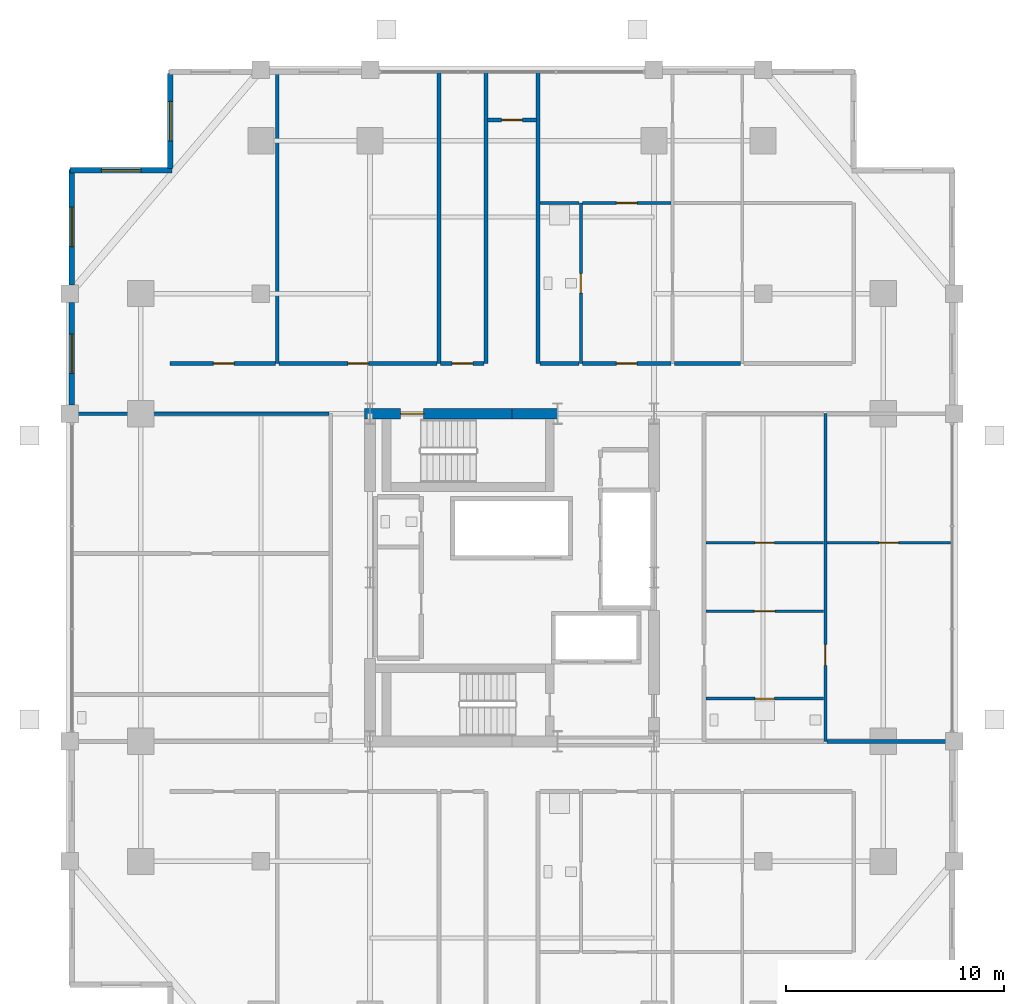
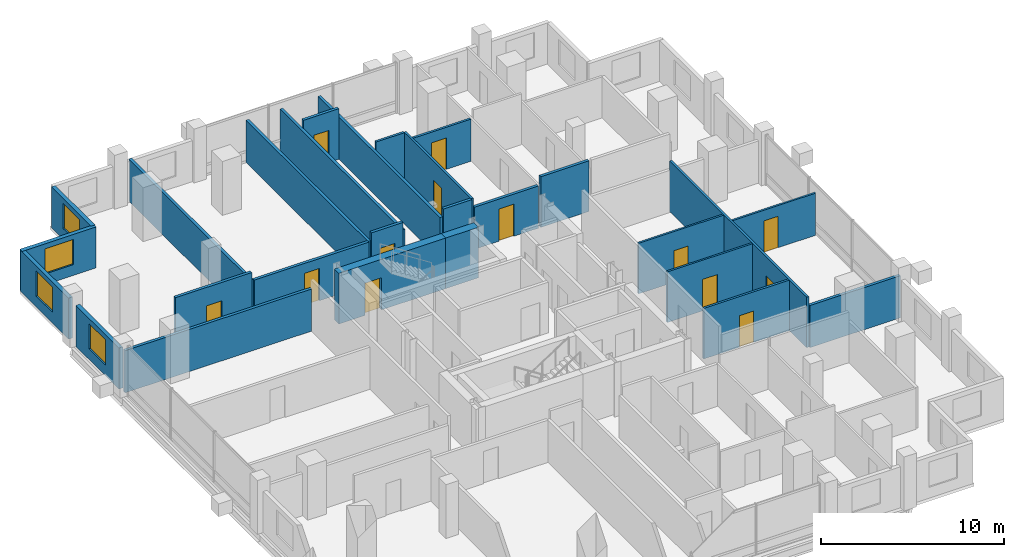
# One storey, part 16 of 19: 27 walls, 13 doors, 4 windows, 17 openings.
"""IFC4 building model written with IfcOpenShell, lengths in metres."""

from ifc_helpers import new_model, si_unit, direction, frame, frame_2d, origin, place, context, subcontext, project, spatial, rectangle, extrude, material, layer, layer_set, type_object, element, fill, save


model = new_model("IFC4")

# Units and contexts
model_context = context("Model", 3, precision=1e-05, world=origin(), true_north=direction((0.0, 1.0)))
body_context = subcontext(model_context, "Body", "Model", "MODEL_VIEW")
ifc_project = project(units=[si_unit("LENGTHUNIT", "METRE"), si_unit("AREAUNIT", "SQUARE_METRE"), si_unit("VOLUMEUNIT", "CUBIC_METRE"), si_unit("PLANEANGLEUNIT", "RADIAN"), si_unit("MASSUNIT", "GRAM", prefix="KILO")], contexts=[model_context])

# Site, building, storey
site_placement = place(None, origin())
site = spatial("IfcSite", under=ifc_project, at=site_placement, CompositionType="ELEMENT")
building_placement = place(site_placement, origin())
building = spatial("IfcBuilding", under=site, at=building_placement, Name="Barlavira Tower and Art Museum", CompositionType="ELEMENT")
storey_placement = place(building_placement, frame((0.0, 0.0, 158.39990234375)))
storey = spatial("IfcBuildingStorey", under=building, at=storey_placement, Name="L40", CompositionType="ELEMENT", Elevation=158.39990234375)

# Wall, opening, door
ifc_material_1 = material(Name="Gypsum acoustic stud partition", Category="gypsum")
ifc_layer_1 = layer(ifc_material_1, 0.1201171875, Name="Gypsum acoustic stud partition")
ifc_layer_set_1 = layer_set([ifc_layer_1], Name="Gypsum acoustic stud partition")
wall_type_1 = type_object("IfcWallType", Name="Apartment Internal Acoustic Partition 120", PredefinedType="PARTITIONING", material=ifc_layer_set_1)
wall_1_placement = place(storey_placement, frame((8.8798828125, -1.550048828125, 0.0), z_axis=(0.0, 0.0, 1.0), x_axis=(1.0, 0.0, 0.0)))
wall_1 = element("IfcWall", 1, at=wall_1_placement, inside=storey, type_object=wall_type_1, Name="L40 Partition Wall 41", PredefinedType="PARTITIONING", context=body_context, shape_type="SweptSolid", body=[
    extrude(rectangle(XDim=5.39013671875, YDim=0.1201171875, at=frame_2d((2.695068359375, 0.0))), origin(), (0.0, 0.0, 1.0), 3.380126953125),
])
opening_1_placement = place(wall_1_placement, frame((2.215087890625, 0.0, 0.0)))
opening_1 = element("IfcOpeningElement", 2, at=opening_1_placement, cuts=wall_1, Name="Opening D-02", PredefinedType="OPENING", context=body_context, shape_type="SweptSolid", body=[
    extrude(rectangle(XDim=0.949951171875, YDim=2.10009765625, at=frame_2d((0.47509765625, 1.050048828125))), frame((0.0, 0.070068359375, 0.0), z_axis=(0.0, -1.0, 0.0), x_axis=(1.0, 0.0, 0.0)), (0.0, 0.0, 1.0), 0.14013671875),
])
ifc_material_2 = material(Name="Engineered coastal hardwood", Category="wood")
door_type_1 = type_object("IfcDoorType", Name="Living and Salon Glazed-Leaf Door 950x2100", OperationType="NOTDEFINED", PredefinedType="DOOR", material=ifc_material_2)
door_1_placement = place(opening_1_placement, origin())
door_1 = element("IfcDoor", 3, at=door_1_placement, inside=storey, type_object=door_type_1, Name="Apartment E1 Kitchen Door", OperationType="SINGLE_SWING_RIGHT", OverallHeight=2.10009765625, OverallWidth=0.949951171875, PredefinedType="DOOR", context=body_context, shape_type="SweptSolid", body=[
    extrude(rectangle(XDim=0.949951171875, YDim=2.10009765625, at=frame_2d((0.47509765625, 1.050048828125))), frame((0.0, 0.02490234375, 0.0), z_axis=(0.0, -1.0, 0.0), x_axis=(1.0, 0.0, 0.0)), (0.0, 0.0, 1.0), 0.050048828125),
])
fill(opening_1, door_1)

wall_2_placement = place(storey_placement, frame((8.8798828125, 1.60009765625, 0.0), z_axis=(0.0, 0.0, 1.0), x_axis=(1.0, 0.0, 0.0)))
wall_2 = element("IfcWall", 4, at=wall_2_placement, inside=storey, type_object=wall_type_1, Name="L40 Partition Wall 44", PredefinedType="PARTITIONING", context=body_context, shape_type="SweptSolid", body=[
    extrude(rectangle(XDim=5.39013671875, YDim=0.1201171875, at=frame_2d((2.695068359375, 0.0))), origin(), (0.0, 0.0, 1.0), 3.380126953125),
])
opening_2_placement = place(wall_2_placement, frame((2.239990234375, 0.0, 0.0)))
opening_2 = element("IfcOpeningElement", 5, at=opening_2_placement, cuts=wall_2, Name="Opening D-01", PredefinedType="OPENING", context=body_context, shape_type="SweptSolid", body=[
    extrude(rectangle(XDim=0.89990234375, YDim=2.10009765625, at=frame_2d((0.449951171875, 1.050048828125))), frame((0.0, 0.070068359375, 0.0), z_axis=(0.0, -1.0, 0.0), x_axis=(1.0, 0.0, 0.0)), (0.0, 0.0, 1.0), 0.14013671875),
])
door_type_2 = type_object("IfcDoorType", Name="Internal Bedroom Timber Flush Door 900x2100", OperationType="NOTDEFINED", PredefinedType="DOOR", material=ifc_material_2)
door_2_placement = place(opening_2_placement, origin())
door_2 = element("IfcDoor", 6, at=door_2_placement, inside=storey, type_object=door_type_2, Name="Apartment E1 Walk-In Dressing Room Door", OperationType="SINGLE_SWING_LEFT", OverallHeight=2.10009765625, OverallWidth=0.89990234375, PredefinedType="DOOR", context=body_context, shape_type="SweptSolid", body=[
    extrude(rectangle(XDim=0.89990234375, YDim=2.10009765625, at=frame_2d((0.449951171875, 1.050048828125))), frame((0.0, 0.02490234375, 0.0), z_axis=(0.0, -1.0, 0.0), x_axis=(1.0, 0.0, 0.0)), (0.0, 0.0, 1.0), 0.050048828125),
])
fill(opening_2, door_2)

wall_3_placement = place(storey_placement, frame((14.429931640625, 1.60009765625, 0.0), z_axis=(0.0, 0.0, 1.0), x_axis=(1.0, 0.0, 0.0)))
wall_3 = element("IfcWall", 7, at=wall_3_placement, inside=storey, type_object=wall_type_1, Name="L40 Partition Wall 45", PredefinedType="PARTITIONING", context=body_context, shape_type="SweptSolid", body=[
    extrude(rectangle(XDim=5.64013671875, YDim=0.1201171875, at=frame_2d((2.820068359375, 0.0))), origin(), (0.0, 0.0, 1.0), 2.816162109375),
])
opening_3_placement = place(wall_3_placement, frame((2.3701171875, 0.0, 0.0)))
opening_3 = element("IfcOpeningElement", 8, at=opening_3_placement, cuts=wall_3, Name="Opening D-01", PredefinedType="OPENING", context=body_context, shape_type="SweptSolid", body=[
    extrude(rectangle(XDim=0.89990234375, YDim=2.10009765625, at=frame_2d((0.449951171875, 1.050048828125))), frame((0.0, 0.070068359375, 0.0), z_axis=(0.0, -1.0, 0.0), x_axis=(1.0, 0.0, 0.0)), (0.0, 0.0, 1.0), 0.14013671875),
])
door_3_placement = place(opening_3_placement, origin())
door_3 = element("IfcDoor", 9, at=door_3_placement, inside=storey, type_object=door_type_2, Name="Apartment E1 Bedroom 1 Door", OperationType="SINGLE_SWING_LEFT", OverallHeight=2.10009765625, OverallWidth=0.89990234375, PredefinedType="DOOR", context=body_context, shape_type="SweptSolid", body=[
    extrude(rectangle(XDim=0.89990234375, YDim=2.10009765625, at=frame_2d((0.449951171875, 1.050048828125))), frame((0.0, 0.02490234375, 0.0), z_axis=(0.0, -1.0, 0.0), x_axis=(1.0, 0.0, 0.0)), (0.0, 0.0, 1.0), 0.050048828125),
])
fill(opening_3, door_3)

ifc_material_3 = material(Name="Concrete C60", Category="concrete")
ifc_layer_2 = layer(ifc_material_3, 0.5, Name="Concrete C60")
ifc_layer_set_2 = layer_set([ifc_layer_2], Name="Concrete C60")
wall_type_2 = type_object("IfcWallType", Name="Core Structural Shear Wall 500 Concrete C60", PredefinedType="SHEAR", material=ifc_layer_set_2)
wall_4_placement = place(storey_placement, frame((-6.75, 7.5, 0.0), z_axis=(0.0, 0.0, 1.0), x_axis=(1.0, 0.0, 0.0)))
wall_4 = element("IfcWall", 10, at=wall_4_placement, inside=storey, type_object=wall_type_2, Name="L40 Core Shear Wall CS-NW", PredefinedType="SHEAR", context=body_context, shape_type="SweptSolid", body=[
    extrude(rectangle(XDim=6.75, YDim=0.5, at=frame_2d((3.375, 0.0))), origin(), (0.0, 0.0, 1.0), 3.380126953125),
])
opening_4_placement = place(wall_4_placement, frame((1.64990234375, 0.0, 0.0)))
opening_4 = element("IfcOpeningElement", 11, at=opening_4_placement, cuts=wall_4, Name="Opening FD-90", PredefinedType="OPENING", context=body_context, shape_type="SweptSolid", body=[
    extrude(rectangle(XDim=1.050048828125, YDim=2.14990234375, at=frame_2d((0.52490234375, 1.074951171875))), frame((0.0, 0.260009765625, 0.0), z_axis=(0.0, -1.0, 0.0), x_axis=(1.0, 0.0, 0.0)), (0.0, 0.0, 1.0), 0.52001953125),
])
ifc_material_4 = material(Name="Brushed stainless steel", Category="steel")
door_type_3 = type_object("IfcDoorType", Name="Stair and Refuge Fire Door 1050x2150 FD90S", OperationType="NOTDEFINED", PredefinedType="DOOR", material=ifc_material_4)
door_4_placement = place(opening_4_placement, origin())
door_4 = element("IfcDoor", 12, at=door_4_placement, inside=storey, type_object=door_type_3, Name="L40 Stair ST-T2 Fire Door", OperationType="SINGLE_SWING_LEFT", OverallHeight=2.14990234375, OverallWidth=1.050048828125, PredefinedType="DOOR", context=body_context, shape_type="SweptSolid", body=[
    extrude(rectangle(XDim=1.050048828125, YDim=2.14990234375, at=frame_2d((0.52490234375, 1.074951171875))), frame((0.0, 0.02490234375, 0.0), z_axis=(0.0, -1.0, 0.0), x_axis=(1.0, 0.0, 0.0)), (0.0, 0.0, 1.0), 0.050048828125),
])
fill(opening_4, door_4)

# Walls
wall_5_placement = place(storey_placement, frame((0.0, 7.5, 0.0), z_axis=(0.0, 0.0, 1.0), x_axis=(1.0, 0.0, 0.0)))
element("IfcWall", 13, at=wall_5_placement, inside=storey, type_object=wall_type_2, Name="L40 Core Shear Wall CS-EN", PredefinedType="SHEAR", context=body_context, shape_type="SweptSolid", body=[
    extrude(rectangle(XDim=2.080078125, YDim=0.5, at=frame_2d((1.0400390625, 0.0))), origin(), (0.0, 0.0, 1.0), 3.380126953125),
])
ifc_layer_3 = layer(ifc_material_1, 0.179931640625, Name="Gypsum acoustic stud partition")
ifc_layer_set_3 = layer_set([ifc_layer_3], Name="Gypsum acoustic stud partition")
wall_type_3 = type_object("IfcWallType", Name="Inter-Tenancy Party Partition Wall 180", PredefinedType="PARTITIONING", material=ifc_layer_set_3)
for number, where, z_axis, x_axis, name in (
    (14, (-10.75, 9.800048828125, 0.0), (0.0, 0.0, 1.0), (0.0, 1.0, 0.0), "L40 Partition Wall 2"),
    (15, (-3.35009765625, 9.800048828125, 0.0), (0.0, 0.0, 1.0), (0.0, 1.0, 0.0), "L40 Partition Wall 7"),
    (16, (-1.199951171875, 9.800048828125, 0.0), (0.0, 0.0, 1.0), (0.0, 1.0, 0.0), "L40 Partition Wall 9"),
    (17, (1.199951171875, 9.800048828125, 0.0), (0.0, 0.0, 1.0), (0.0, 1.0, 0.0), "L40 Partition Wall 11"),
):
    element("IfcWall", number, at=place(storey_placement, frame(where, z_axis=z_axis, x_axis=x_axis)), inside=storey, type_object=wall_type_3, Name=name, PredefinedType="PARTITIONING", context=body_context, shape_type="SweptSolid", body=[
        extrude(rectangle(XDim=13.349853515625, YDim=0.179931640625, at=frame_2d((6.6748046875, 0.0))), origin(), (0.0, 0.0, 1.0), 2.816162109375),
    ])
wall_6_placement = place(storey_placement, frame((14.429931640625, -7.5, 0.0), z_axis=(0.0, 0.0, 1.0), x_axis=(1.0, 0.0, 0.0)))
element("IfcWall", 18, at=wall_6_placement, inside=storey, type_object=wall_type_3, Name="L40 Partition Wall 37", PredefinedType="PARTITIONING", context=body_context, shape_type="SweptSolid", body=[
    extrude(rectangle(XDim=5.719970703125, YDim=0.179931640625, at=frame_2d((2.85986328125, 0.0))), origin(), (0.0, 0.0, 1.0), 2.816162109375),
])
wall_7_placement = place(storey_placement, frame((-20.14990234375, 7.5, 0.0), z_axis=(0.0, 0.0, 1.0), x_axis=(1.0, 0.0, 0.0)))
element("IfcWall", 19, at=wall_7_placement, inside=storey, type_object=wall_type_3, Name="L40 Partition Wall 48", PredefinedType="PARTITIONING", context=body_context, shape_type="SweptSolid", body=[
    extrude(rectangle(XDim=11.77001953125, YDim=0.179931640625, at=frame_2d((5.885009765625, 0.0))), origin(), (0.0, 0.0, 1.0), 2.816162109375),
])

# Wall, opening, door
wall_8_placement = place(storey_placement, frame((-15.64990234375, 9.800048828125, 0.0), z_axis=(0.0, 0.0, 1.0), x_axis=(1.0, 0.0, 0.0)))
wall_8 = element("IfcWall", 20, at=wall_8_placement, inside=storey, type_object=wall_type_3, Name="L40 Partition Wall 51", PredefinedType="PARTITIONING", context=body_context, shape_type="SweptSolid", body=[
    extrude(rectangle(XDim=4.81982421875, YDim=0.179931640625, at=frame_2d((2.409912109375, 0.0))), origin(), (0.0, 0.0, 1.0), 3.380126953125),
])
opening_5_placement = place(wall_8_placement, frame((1.97509765625, 0.0, 0.0)))
opening_5 = element("IfcOpeningElement", 21, at=opening_5_placement, cuts=wall_8, Name="Opening FD-60", PredefinedType="OPENING", context=body_context, shape_type="SweptSolid", body=[
    extrude(rectangle(XDim=0.949951171875, YDim=2.14990234375, at=frame_2d((0.47509765625, 1.074951171875))), frame((0.0, 0.10009765625, 0.0), z_axis=(0.0, -1.0, 0.0), x_axis=(1.0, 0.0, 0.0)), (0.0, 0.0, 1.0), 0.199951171875),
])
door_type_4 = type_object("IfcDoorType", Name="Apartment Entrance and Riser Fire Door 950x2150 FD60S", OperationType="NOTDEFINED", PredefinedType="DOOR", material=ifc_material_4)
door_5_placement = place(opening_5_placement, origin())
door_5 = element("IfcDoor", 22, at=door_5_placement, inside=storey, type_object=door_type_4, Name="Resident Art Collectors Salon Door", OperationType="SINGLE_SWING_LEFT", OverallHeight=2.14990234375, OverallWidth=0.949951171875, PredefinedType="DOOR", context=body_context, shape_type="SweptSolid", body=[
    extrude(rectangle(XDim=0.949951171875, YDim=2.14990234375, at=frame_2d((0.47509765625, 1.074951171875))), frame((0.0, 0.02490234375, 0.0), z_axis=(0.0, -1.0, 0.0), x_axis=(1.0, 0.0, 0.0)), (0.0, 0.0, 1.0), 0.050048828125),
])
fill(opening_5, door_5)

wall_9_placement = place(storey_placement, frame((-10.669921875, 9.800048828125, 0.0), z_axis=(0.0, 0.0, 1.0), x_axis=(1.0, 0.0, 0.0)))
wall_9 = element("IfcWall", 23, at=wall_9_placement, inside=storey, type_object=wall_type_3, Name="L40 Partition Wall 52", PredefinedType="PARTITIONING", context=body_context, shape_type="SweptSolid", body=[
    extrude(rectangle(XDim=7.239990234375, YDim=0.179931640625, at=frame_2d((3.6201171875, 0.0))), origin(), (0.0, 0.0, 1.0), 2.816162109375),
])
opening_6_placement = place(wall_9_placement, frame((3.155029296875, 0.0, 0.0)))
opening_6 = element("IfcOpeningElement", 24, at=opening_6_placement, cuts=wall_9, Name="Opening FD-60", PredefinedType="OPENING", context=body_context, shape_type="SweptSolid", body=[
    extrude(rectangle(XDim=0.949951171875, YDim=2.14990234375, at=frame_2d((0.47509765625, 1.074951171875))), frame((0.0, 0.10009765625, 0.0), z_axis=(0.0, -1.0, 0.0), x_axis=(1.0, 0.0, 0.0)), (0.0, 0.0, 1.0), 0.199951171875),
])
door_6_placement = place(opening_6_placement, origin())
door_6 = element("IfcDoor", 25, at=door_6_placement, inside=storey, type_object=door_type_4, Name="Sculpture and Painting Workshop Door", OperationType="SINGLE_SWING_RIGHT", OverallHeight=2.14990234375, OverallWidth=0.949951171875, PredefinedType="DOOR", context=body_context, shape_type="SweptSolid", body=[
    extrude(rectangle(XDim=0.949951171875, YDim=2.14990234375, at=frame_2d((0.47509765625, 1.074951171875))), frame((0.0, 0.02490234375, 0.0), z_axis=(0.0, -1.0, 0.0), x_axis=(1.0, 0.0, 0.0)), (0.0, 0.0, 1.0), 0.050048828125),
])
fill(opening_6, door_6)

wall_10_placement = place(storey_placement, frame((-3.27001953125, 9.800048828125, 0.0), z_axis=(0.0, 0.0, 1.0), x_axis=(1.0, 0.0, 0.0)))
wall_10 = element("IfcWall", 26, at=wall_10_placement, inside=storey, type_object=wall_type_3, Name="L40 Partition Wall 53", PredefinedType="PARTITIONING", context=body_context, shape_type="SweptSolid", body=[
    extrude(rectangle(XDim=1.989990234375, YDim=0.179931640625, at=frame_2d((0.9951171875, 0.0))), origin(), (0.0, 0.0, 1.0), 3.380126953125),
])
opening_7_placement = place(wall_10_placement, frame((0.52490234375, 0.0, 0.0)))
opening_7 = element("IfcOpeningElement", 27, at=opening_7_placement, cuts=wall_10, Name="Opening FD-60", PredefinedType="OPENING", context=body_context, shape_type="SweptSolid", body=[
    extrude(rectangle(XDim=0.949951171875, YDim=2.14990234375, at=frame_2d((0.47509765625, 1.074951171875))), frame((0.0, 0.10009765625, 0.0), z_axis=(0.0, -1.0, 0.0), x_axis=(1.0, 0.0, 0.0)), (0.0, 0.0, 1.0), 0.199951171875),
])
door_7_placement = place(opening_7_placement, origin())
door_7 = element("IfcDoor", 28, at=door_7_placement, inside=storey, type_object=door_type_4, Name="Climate-Controlled Wine Tasting Room Door", OperationType="SINGLE_SWING_LEFT", OverallHeight=2.14990234375, OverallWidth=0.949951171875, PredefinedType="DOOR", context=body_context, shape_type="SweptSolid", body=[
    extrude(rectangle(XDim=0.949951171875, YDim=2.14990234375, at=frame_2d((0.47509765625, 1.074951171875))), frame((0.0, 0.02490234375, 0.0), z_axis=(0.0, -1.0, 0.0), x_axis=(1.0, 0.0, 0.0)), (0.0, 0.0, 1.0), 0.050048828125),
])
fill(opening_7, door_7)

# Wall
wall_11_placement = place(storey_placement, frame((1.280029296875, 9.800048828125, 0.0), z_axis=(0.0, 0.0, 1.0), x_axis=(1.0, 0.0, 0.0)))
element("IfcWall", 29, at=wall_11_placement, inside=storey, type_object=wall_type_3, Name="L40 Partition Wall 54", PredefinedType="PARTITIONING", context=body_context, shape_type="SweptSolid", body=[
    extrude(rectangle(XDim=1.7900390625, YDim=0.179931640625, at=frame_2d((0.89501953125, 0.0))), origin(), (0.0, 0.0, 1.0), 3.380126953125),
])

# Wall, opening, door
wall_12_placement = place(storey_placement, frame((3.22998046875, 9.800048828125, 0.0), z_axis=(0.0, 0.0, 1.0), x_axis=(1.0, 0.0, 0.0)))
wall_12 = element("IfcWall", 30, at=wall_12_placement, inside=storey, type_object=wall_type_3, Name="L40 Partition Wall 55", PredefinedType="PARTITIONING", context=body_context, shape_type="SweptSolid", body=[
    extrude(rectangle(XDim=4.0400390625, YDim=0.179931640625, at=frame_2d((2.02001953125, 0.0))), origin(), (0.0, 0.0, 1.0), 2.816162109375),
])
opening_8_placement = place(wall_12_placement, frame((1.544921875, 0.0, 0.0)))
opening_8 = element("IfcOpeningElement", 31, at=opening_8_placement, cuts=wall_12, Name="Opening FD-60", PredefinedType="OPENING", context=body_context, shape_type="SweptSolid", body=[
    extrude(rectangle(XDim=0.949951171875, YDim=2.14990234375, at=frame_2d((0.47509765625, 1.074951171875))), frame((0.0, 0.10009765625, 0.0), z_axis=(0.0, -1.0, 0.0), x_axis=(1.0, 0.0, 0.0)), (0.0, 0.0, 1.0), 0.199951171875),
])
door_8_placement = place(opening_8_placement, origin())
door_8 = element("IfcDoor", 32, at=door_8_placement, inside=storey, type_object=door_type_4, Name="Apartment Entrance Hall NE1 Door", OperationType="SINGLE_SWING_LEFT", OverallHeight=2.14990234375, OverallWidth=0.949951171875, PredefinedType="DOOR", context=body_context, shape_type="SweptSolid", body=[
    extrude(rectangle(XDim=0.949951171875, YDim=2.14990234375, at=frame_2d((0.47509765625, 1.074951171875))), frame((0.0, 0.02490234375, 0.0), z_axis=(0.0, -1.0, 0.0), x_axis=(1.0, 0.0, 0.0)), (0.0, 0.0, 1.0), 0.050048828125),
])
fill(opening_8, door_8)

# Wall
wall_13_placement = place(storey_placement, frame((7.429931640625, 9.800048828125, 0.0), z_axis=(0.0, 0.0, 1.0), x_axis=(1.0, 0.0, 0.0)))
element("IfcWall", 33, at=wall_13_placement, inside=storey, type_object=wall_type_3, Name="L40 Partition Wall 56", PredefinedType="PARTITIONING", context=body_context, shape_type="SweptSolid", body=[
    extrude(rectangle(XDim=3.0400390625, YDim=0.179931640625, at=frame_2d((1.52001953125, 0.0))), origin(), (0.0, 0.0, 1.0), 3.380126953125),
])

# Wall, opening, door
wall_14_placement = place(storey_placement, frame((-1.1201171875, 20.949951171875, 0.0), z_axis=(0.0, 0.0, 1.0), x_axis=(1.0, 0.0, 0.0)))
wall_14 = element("IfcWall", 34, at=wall_14_placement, inside=storey, type_object=wall_type_3, Name="L40 Partition Wall 62", PredefinedType="PARTITIONING", context=body_context, shape_type="SweptSolid", body=[
    extrude(rectangle(XDim=2.240234375, YDim=0.179931640625, at=frame_2d((1.1201171875, 0.0))), origin(), (0.0, 0.0, 1.0), 3.380126953125),
])
opening_9_placement = place(wall_14_placement, frame((0.64501953125, 0.0, 0.0)))
opening_9 = element("IfcOpeningElement", 35, at=opening_9_placement, cuts=wall_14, Name="Opening FD-60", PredefinedType="OPENING", context=body_context, shape_type="SweptSolid", body=[
    extrude(rectangle(XDim=0.949951171875, YDim=2.14990234375, at=frame_2d((0.47509765625, 1.074951171875))), frame((0.0, 0.10009765625, 0.0), z_axis=(0.0, -1.0, 0.0), x_axis=(1.0, 0.0, 0.0)), (0.0, 0.0, 1.0), 0.199951171875),
])
door_9_placement = place(opening_9_placement, origin())
door_9 = element("IfcDoor", 36, at=door_9_placement, inside=storey, type_object=door_type_4, Name="L40 North Ocean Alcove Door", OperationType="SINGLE_SWING_RIGHT", OverallHeight=2.14990234375, OverallWidth=0.949951171875, PredefinedType="DOOR", context=body_context, shape_type="SweptSolid", body=[
    extrude(rectangle(XDim=0.949951171875, YDim=2.14990234375, at=frame_2d((0.47509765625, 1.074951171875))), frame((0.0, 0.02490234375, 0.0), z_axis=(0.0, -1.0, 0.0), x_axis=(1.0, 0.0, 0.0)), (0.0, 0.0, 1.0), 0.050048828125),
])
fill(opening_9, door_9)

ifc_layer_4 = layer(ifc_material_1, 0.139892578125, Name="Gypsum acoustic stud partition")
ifc_layer_set_4 = layer_set([ifc_layer_4], Name="Gypsum acoustic stud partition")
wall_type_4 = type_object("IfcWallType", Name="Moisture-Resistant Bathroom Partition 140", PredefinedType="PARTITIONING", material=ifc_layer_set_4)
wall_15_placement = place(storey_placement, frame((3.14990234375, 9.800048828125, 0.0), z_axis=(0.0, 0.0, 1.0), x_axis=(0.0, 1.0, 0.0)))
wall_15 = element("IfcWall", 37, at=wall_15_placement, inside=storey, type_object=wall_type_4, Name="L40 Partition Wall 13", PredefinedType="PARTITIONING", context=body_context, shape_type="SweptSolid", body=[
    extrude(rectangle(XDim=7.349853515625, YDim=0.139892578125, at=frame_2d((3.6748046875, 0.0))), origin(), (0.0, 0.0, 1.0), 3.380126953125),
])
opening_10_placement = place(wall_15_placement, frame((3.219970703125, 0.0, 0.0)))
opening_10 = element("IfcOpeningElement", 38, at=opening_10_placement, cuts=wall_15, Name="Opening D-WC", PredefinedType="OPENING", context=body_context, shape_type="SweptSolid", body=[
    extrude(rectangle(XDim=0.89990234375, YDim=2.10009765625, at=frame_2d((0.449951171875, 1.050048828125))), frame((0.0, 0.080078125, 0.0), z_axis=(0.0, -1.0, 0.0), x_axis=(1.0, 0.0, 0.0)), (0.0, 0.0, 1.0), 0.159912109375),
])
door_type_5 = type_object("IfcDoorType", Name="Accessible Bathroom Flush Door 900x2100", OperationType="NOTDEFINED", PredefinedType="DOOR", material=ifc_material_2)
door_10_placement = place(opening_10_placement, origin())
door_10 = element("IfcDoor", 39, at=door_10_placement, inside=storey, type_object=door_type_5, Name="Apartment NE1 Hall Bathroom Door", OperationType="SINGLE_SWING_RIGHT", OverallHeight=2.10009765625, OverallWidth=0.89990234375, PredefinedType="DOOR", context=body_context, shape_type="SweptSolid", body=[
    extrude(rectangle(XDim=0.89990234375, YDim=2.10009765625, at=frame_2d((0.449951171875, 1.050048828125))), frame((0.0, 0.02490234375, 0.0), z_axis=(0.0, -1.0, 0.0), x_axis=(1.0, 0.0, 0.0)), (0.0, 0.0, 1.0), 0.050048828125),
])
fill(opening_10, door_10)

wall_16_placement = place(storey_placement, frame((14.35009765625, -7.5, 0.0), z_axis=(0.0, 0.0, 1.0), x_axis=(0.0, 1.0, 0.0)))
wall_16 = element("IfcWall", 40, at=wall_16_placement, inside=storey, type_object=wall_type_4, Name="L40 Partition Wall 20", PredefinedType="PARTITIONING", context=body_context, shape_type="SweptSolid", body=[
    extrude(rectangle(XDim=15.0, YDim=0.139892578125, at=frame_2d((7.5, 0.0))), origin(), (0.0, 0.0, 1.0), 3.380126953125),
])
opening_11_placement = place(wall_16_placement, frame((3.47509765625, 0.0, 0.0)))
opening_11 = element("IfcOpeningElement", 41, at=opening_11_placement, cuts=wall_16, Name="Opening D-02", PredefinedType="OPENING", context=body_context, shape_type="SweptSolid", body=[
    extrude(rectangle(XDim=0.949951171875, YDim=2.10009765625, at=frame_2d((0.47509765625, 1.050048828125))), frame((0.0, 0.080078125, 0.0), z_axis=(0.0, -1.0, 0.0), x_axis=(1.0, 0.0, 0.0)), (0.0, 0.0, 1.0), 0.159912109375),
])
door_11_placement = place(opening_11_placement, origin())
door_11 = element("IfcDoor", 42, at=door_11_placement, inside=storey, type_object=door_type_1, Name="Apartment E1 Living Lounge Door", OperationType="SINGLE_SWING_RIGHT", OverallHeight=2.10009765625, OverallWidth=0.949951171875, PredefinedType="DOOR", context=body_context, shape_type="SweptSolid", body=[
    extrude(rectangle(XDim=0.949951171875, YDim=2.10009765625, at=frame_2d((0.47509765625, 1.050048828125))), frame((0.0, 0.02490234375, 0.0), z_axis=(0.0, -1.0, 0.0), x_axis=(1.0, 0.0, 0.0)), (0.0, 0.0, 1.0), 0.050048828125),
])
fill(opening_11, door_11)

wall_17_placement = place(storey_placement, frame((8.8798828125, -5.550048828125, 0.0), z_axis=(0.0, 0.0, 1.0), x_axis=(1.0, 0.0, 0.0)))
wall_17 = element("IfcWall", 43, at=wall_17_placement, inside=storey, type_object=wall_type_4, Name="L40 Partition Wall 38", PredefinedType="PARTITIONING", context=body_context, shape_type="SweptSolid", body=[
    extrude(rectangle(XDim=5.39013671875, YDim=0.139892578125, at=frame_2d((2.695068359375, 0.0))), origin(), (0.0, 0.0, 1.0), 3.380126953125),
])
opening_12_placement = place(wall_17_placement, frame((2.239990234375, 0.0, 0.0)))
opening_12 = element("IfcOpeningElement", 44, at=opening_12_placement, cuts=wall_17, Name="Opening D-WC", PredefinedType="OPENING", context=body_context, shape_type="SweptSolid", body=[
    extrude(rectangle(XDim=0.89990234375, YDim=2.10009765625, at=frame_2d((0.449951171875, 1.050048828125))), frame((0.0, 0.080078125, 0.0), z_axis=(0.0, -1.0, 0.0), x_axis=(1.0, 0.0, 0.0)), (0.0, 0.0, 1.0), 0.159912109375),
])
door_12_placement = place(opening_12_placement, origin())
door_12 = element("IfcDoor", 45, at=door_12_placement, inside=storey, type_object=door_type_5, Name="Apartment E1 Hall Bathroom Door", OperationType="SINGLE_SWING_RIGHT", OverallHeight=2.10009765625, OverallWidth=0.89990234375, PredefinedType="DOOR", context=body_context, shape_type="SweptSolid", body=[
    extrude(rectangle(XDim=0.89990234375, YDim=2.10009765625, at=frame_2d((0.449951171875, 1.050048828125))), frame((0.0, 0.02490234375, 0.0), z_axis=(0.0, -1.0, 0.0), x_axis=(1.0, 0.0, 0.0)), (0.0, 0.0, 1.0), 0.050048828125),
])
fill(opening_12, door_12)

# Wall
wall_18_placement = place(storey_placement, frame((1.280029296875, 17.14990234375, 0.0), z_axis=(0.0, 0.0, 1.0), x_axis=(1.0, 0.0, 0.0)))
element("IfcWall", 46, at=wall_18_placement, inside=storey, type_object=wall_type_4, Name="L40 Partition Wall 58", PredefinedType="PARTITIONING", context=body_context, shape_type="SweptSolid", body=[
    extrude(rectangle(XDim=1.7900390625, YDim=0.139892578125, at=frame_2d((0.89501953125, 0.0))), origin(), (0.0, 0.0, 1.0), 3.380126953125),
])

# Wall, opening, door
wall_19_placement = place(storey_placement, frame((3.22998046875, 17.14990234375, 0.0), z_axis=(0.0, 0.0, 1.0), x_axis=(1.0, 0.0, 0.0)))
wall_19 = element("IfcWall", 47, at=wall_19_placement, inside=storey, type_object=wall_type_4, Name="L40 Partition Wall 59", PredefinedType="PARTITIONING", context=body_context, shape_type="SweptSolid", body=[
    extrude(rectangle(XDim=4.0400390625, YDim=0.139892578125, at=frame_2d((2.02001953125, 0.0))), origin(), (0.0, 0.0, 1.0), 2.816162109375),
])
opening_13_placement = place(wall_19_placement, frame((1.544921875, 0.0, 0.0)))
opening_13 = element("IfcOpeningElement", 48, at=opening_13_placement, cuts=wall_19, Name="Opening D-02", PredefinedType="OPENING", context=body_context, shape_type="SweptSolid", body=[
    extrude(rectangle(XDim=0.949951171875, YDim=2.10009765625, at=frame_2d((0.47509765625, 1.050048828125))), frame((0.0, 0.080078125, 0.0), z_axis=(0.0, -1.0, 0.0), x_axis=(1.0, 0.0, 0.0)), (0.0, 0.0, 1.0), 0.159912109375),
])
door_13_placement = place(opening_13_placement, origin())
door_13 = element("IfcDoor", 49, at=door_13_placement, inside=storey, type_object=door_type_1, Name="Apartment NE1 Living Lounge Door", OperationType="SINGLE_SWING_RIGHT", OverallHeight=2.10009765625, OverallWidth=0.949951171875, PredefinedType="DOOR", context=body_context, shape_type="SweptSolid", body=[
    extrude(rectangle(XDim=0.949951171875, YDim=2.10009765625, at=frame_2d((0.47509765625, 1.050048828125))), frame((0.0, 0.02490234375, 0.0), z_axis=(0.0, -1.0, 0.0), x_axis=(1.0, 0.0, 0.0)), (0.0, 0.0, 1.0), 0.050048828125),
])
fill(opening_13, door_13)

# Wall, opening, window
ifc_material_5 = material(Name="Precast concrete C40", Category="concrete")
ifc_layer_5 = layer(ifc_material_5, 0.25, Name="Precast concrete C40")
ifc_layer_set_5 = layer_set([ifc_layer_5], Name="Precast concrete C40")
wall_type_5 = type_object("IfcWallType", Name="Notched Corner Spandrel Wall 250 Precast Concrete C40", PredefinedType="SOLIDWALL", material=ifc_layer_set_5)
wall_20_placement = place(storey_placement, frame((-20.14990234375, 18.675048828125, 0.0), z_axis=(0.0, 0.0, 1.0), x_axis=(0.0, -1.0, 0.0)))
wall_20 = element("IfcWall", 50, at=wall_20_placement, inside=storey, type_object=wall_type_5, Name="L40 Coastal Facade Pier Wall CW2-L40-W-1", PredefinedType="SOLIDWALL", context=body_context, shape_type="SweptSolid", body=[
    extrude(rectangle(XDim=5.280029296875, YDim=0.25, at=frame_2d((2.64013671875, 0.0))), origin(), (0.0, 0.0, 1.0), 2.736083984375),
])
opening_14_placement = place(wall_20_placement, frame((1.718017578125, 0.0, 0.719970703125)))
opening_14 = element("IfcOpeningElement", 51, at=opening_14_placement, cuts=wall_20, Name="Opening WN-01", PredefinedType="OPENING", context=body_context, shape_type="SweptSolid", body=[
    extrude(rectangle(XDim=1.800048828125, YDim=1.679931640625, at=frame_2d((0.89990234375, 0.83984375))), frame((0.0, 0.135009765625, 0.0), z_axis=(0.0, -1.0, 0.0), x_axis=(1.0, 0.0, 0.0)), (0.0, 0.0, 1.0), 0.27001953125),
])
ifc_material_6 = material(Name="Low-iron coastal laminated glass", Category="glass")
window_type = type_object("IfcWindowType", Name="Recessed Notch Corner Punch Window 1800x1680", PartitioningType="SINGLE_PANEL", PredefinedType="WINDOW", material=ifc_material_6)
window_1_placement = place(opening_14_placement, origin())
window_1 = element("IfcWindow", 52, at=window_1_placement, inside=storey, type_object=window_type, Name="L40 Punched Facade Window EWP-CW2-L40-W-1-1", OverallHeight=1.679931640625, OverallWidth=1.800048828125, PartitioningType="SINGLE_PANEL", PredefinedType="WINDOW", context=body_context, shape_type="SweptSolid", body=[
    extrude(rectangle(XDim=1.800048828125, YDim=1.679931640625, at=frame_2d((0.89990234375, 0.83984375))), frame((0.0, 0.030029296875, 0.0), z_axis=(0.0, -1.0, 0.0), x_axis=(1.0, 0.0, 0.0)), (0.0, 0.0, 1.0), 0.06005859375),
])
fill(opening_14, window_1)

wall_21_placement = place(storey_placement, frame((-20.14990234375, 12.60498046875, 0.0), z_axis=(0.0, 0.0, 1.0), x_axis=(0.0, -1.0, 0.0)))
wall_21 = element("IfcWall", 53, at=wall_21_placement, inside=storey, type_object=wall_type_5, Name="L40 Coastal Facade Pier Wall CW2-L40-W-2", PredefinedType="SOLIDWALL", context=body_context, shape_type="SweptSolid", body=[
    extrude(rectangle(XDim=4.7099609375, YDim=0.25, at=frame_2d((2.35498046875, 0.0))), origin(), (0.0, 0.0, 1.0), 2.736083984375),
])
opening_15_placement = place(wall_21_placement, frame((1.455078125, 0.0, 0.719970703125)))
opening_15 = element("IfcOpeningElement", 54, at=opening_15_placement, cuts=wall_21, Name="Opening WN-01", PredefinedType="OPENING", context=body_context, shape_type="SweptSolid", body=[
    extrude(rectangle(XDim=1.800048828125, YDim=1.679931640625, at=frame_2d((0.89990234375, 0.83984375))), frame((0.0, 0.135009765625, 0.0), z_axis=(0.0, -1.0, 0.0), x_axis=(1.0, 0.0, 0.0)), (0.0, 0.0, 1.0), 0.27001953125),
])
window_2_placement = place(opening_15_placement, origin())
window_2 = element("IfcWindow", 55, at=window_2_placement, inside=storey, type_object=window_type, Name="L40 Punched Facade Window EWP-CW2-L40-W-2-1", OverallHeight=1.679931640625, OverallWidth=1.800048828125, PartitioningType="SINGLE_PANEL", PredefinedType="WINDOW", context=body_context, shape_type="SweptSolid", body=[
    extrude(rectangle(XDim=1.800048828125, YDim=1.679931640625, at=frame_2d((0.89990234375, 0.83984375))), frame((0.0, 0.030029296875, 0.0), z_axis=(0.0, -1.0, 0.0), x_axis=(1.0, 0.0, 0.0)), (0.0, 0.0, 1.0), 0.06005859375),
])
fill(opening_15, window_2)

wall_22_placement = place(storey_placement, frame((-15.64990234375, 23.070068359375, 0.0), z_axis=(0.0, 0.0, 1.0), x_axis=(0.0, -1.0, 0.0)))
wall_22 = element("IfcWall", 56, at=wall_22_placement, inside=storey, type_object=wall_type_5, Name="L40 Notch Corner Wall NW1", PredefinedType="SOLIDWALL", context=body_context, shape_type="SweptSolid", body=[
    extrude(rectangle(XDim=4.340087890625, YDim=0.25, at=frame_2d((2.169921875, 0.0))), origin(), (0.0, 0.0, 1.0), 2.736083984375),
])
opening_16_placement = place(wall_22_placement, frame((1.27001953125, 0.0, 0.719970703125)))
opening_16 = element("IfcOpeningElement", 57, at=opening_16_placement, cuts=wall_22, Name="Opening WN-01", PredefinedType="OPENING", context=body_context, shape_type="SweptSolid", body=[
    extrude(rectangle(XDim=1.800048828125, YDim=1.679931640625, at=frame_2d((0.89990234375, 0.83984375))), frame((0.0, 0.135009765625, 0.0), z_axis=(0.0, -1.0, 0.0), x_axis=(1.0, 0.0, 0.0)), (0.0, 0.0, 1.0), 0.27001953125),
])
window_3_placement = place(opening_16_placement, origin())
window_3 = element("IfcWindow", 58, at=window_3_placement, inside=storey, type_object=window_type, Name="L40 Punched Facade Window EW-NTC-L40-NW1-1", OverallHeight=1.679931640625, OverallWidth=1.800048828125, PartitioningType="SINGLE_PANEL", PredefinedType="WINDOW", context=body_context, shape_type="SweptSolid", body=[
    extrude(rectangle(XDim=1.800048828125, YDim=1.679931640625, at=frame_2d((0.89990234375, 0.83984375))), frame((0.0, 0.030029296875, 0.0), z_axis=(0.0, -1.0, 0.0), x_axis=(1.0, 0.0, 0.0)), (0.0, 0.0, 1.0), 0.06005859375),
])
fill(opening_16, window_3)

wall_23_placement = place(storey_placement, frame((-15.570068359375, 18.64990234375, 0.0), z_axis=(0.0, 0.0, 1.0), x_axis=(-1.0, 0.0, 0.0)))
wall_23 = element("IfcWall", 59, at=wall_23_placement, inside=storey, type_object=wall_type_5, Name="L40 Notch Corner Wall NW2", PredefinedType="SOLIDWALL", context=body_context, shape_type="SweptSolid", body=[
    extrude(rectangle(XDim=4.659912109375, YDim=0.25, at=frame_2d((2.330078125, 0.0))), origin(), (0.0, 0.0, 1.0), 2.736083984375),
])
opening_17_placement = place(wall_23_placement, frame((1.429931640625, 0.0, 0.719970703125)))
opening_17 = element("IfcOpeningElement", 60, at=opening_17_placement, cuts=wall_23, Name="Opening WN-01", PredefinedType="OPENING", context=body_context, shape_type="SweptSolid", body=[
    extrude(rectangle(XDim=1.800048828125, YDim=1.679931640625, at=frame_2d((0.89990234375, 0.83984375))), frame((0.0, 0.135009765625, 0.0), z_axis=(0.0, -1.0, 0.0), x_axis=(1.0, 0.0, 0.0)), (0.0, 0.0, 1.0), 0.27001953125),
])
window_4_placement = place(opening_17_placement, origin())
window_4 = element("IfcWindow", 61, at=window_4_placement, inside=storey, type_object=window_type, Name="L40 Punched Facade Window EW-NTC-L40-NW2-1", OverallHeight=1.679931640625, OverallWidth=1.800048828125, PartitioningType="SINGLE_PANEL", PredefinedType="WINDOW", context=body_context, shape_type="SweptSolid", body=[
    extrude(rectangle(XDim=1.800048828125, YDim=1.679931640625, at=frame_2d((0.89990234375, 0.83984375))), frame((0.0, 0.030029296875, 0.0), z_axis=(0.0, -1.0, 0.0), x_axis=(1.0, 0.0, 0.0)), (0.0, 0.0, 1.0), 0.06005859375),
])
fill(opening_17, window_4)

save(model, "model.ifc")
